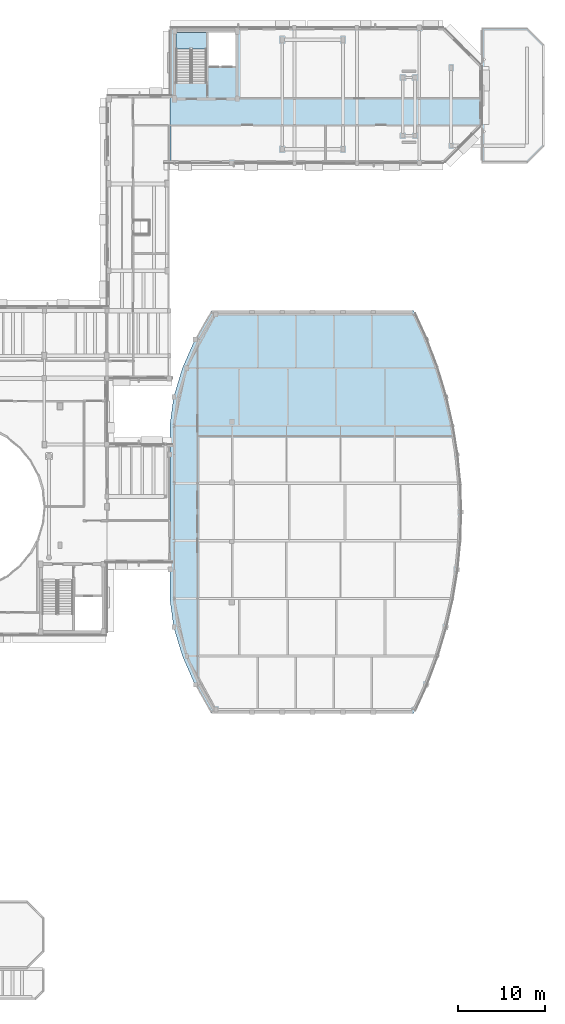
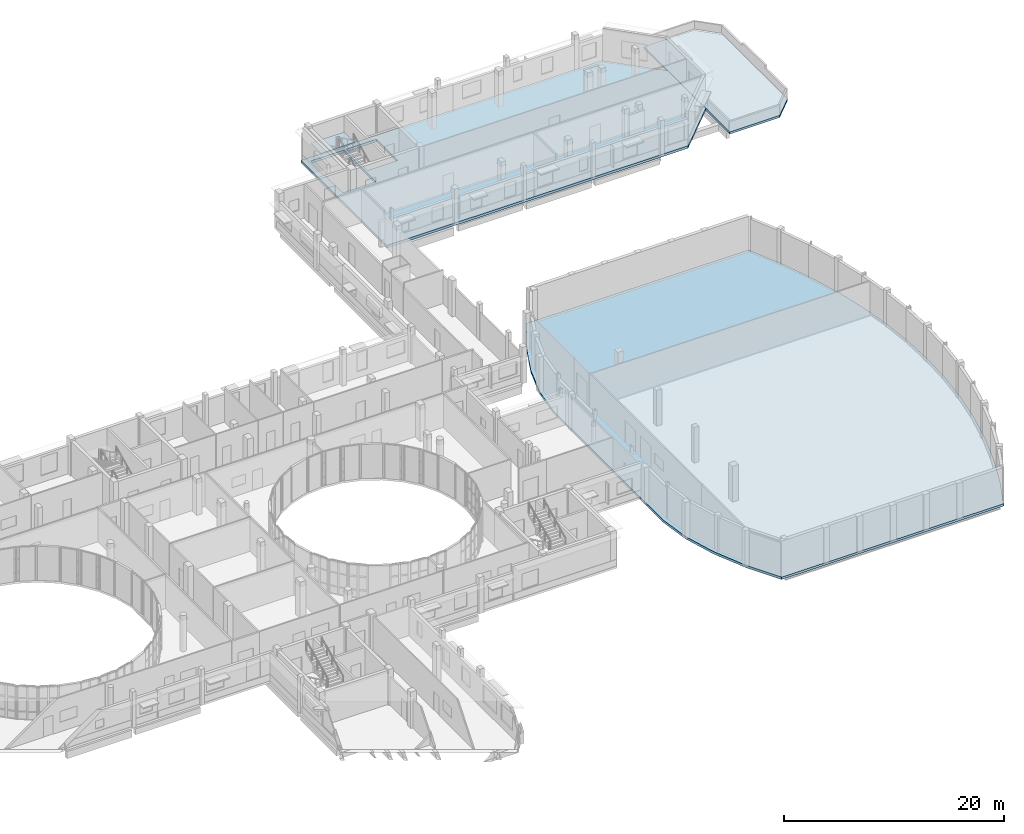
# One storey, part 73 of 105: 4 slabs, 1 element without a shape of its own.
"""IFC4 building model written with IfcOpenShell, lengths in metres."""

import ifcopenshell
import ifcopenshell.guid

model = None  # the IFC model being written
_history = None  # IfcOwnerHistory: only IFC2X3 demands one
_inside = {}  # id of a spatial element -> (the spatial element, [elements in it])
_under = {}  # id of a project, library or spatial element -> (it, [spatial elements below it])
_declared = {}  # id of a project -> (the project, [libraries it declares])
_typed = {}  # id of a type object -> (the type object, [elements of that type])
_made_of = {}  # id of a material, layer set ... -> (it, [elements and type objects made of it])


def new_model(schema):
    """Start an empty IFC model of exactly this schema.

    Asked for "IFC4X3", IfcOpenShell would pick the latest addendum, in which some entities
    have other attributes; the version numbers below select the first issue.
    IFC2X3 requires an IfcOwnerHistory on every rooted entity: one is made here for all.
    """
    global model, _history
    if schema == "IFC4X3":
        model = ifcopenshell.file(schema_version=(4, 3, 0, 0))
    else:
        model = ifcopenshell.file(schema=schema)
    _inside.clear()
    _under.clear()
    _declared.clear()
    _typed.clear()
    _made_of.clear()
    _history = None
    if model.schema == "IFC2X3":
        org = make("IfcOrganization", Name="unknown")
        user = make(
            "IfcPersonAndOrganization",
            ThePerson=make("IfcPerson", FamilyName="unknown"),
            TheOrganization=org,
        )
        app = make(
            "IfcApplication",
            ApplicationDeveloper=org,
            Version="unknown",
            ApplicationFullName="unknown",
            ApplicationIdentifier="unknown",
        )
        _history = make(
            "IfcOwnerHistory",
            OwningUser=user,
            OwningApplication=app,
            ChangeAction="ADDED",
            CreationDate=0,
        )
    return model


def make(cls, **values):
    """One entity of the class cls with the attributes given. An attribute that is None is left unset."""
    return model.create_entity(
        cls, **{name: value for name, value in values.items() if value is not None}
    )


def rooted(cls, **values):
    """An entity with a GlobalId (a new one), such as an element, a storey or a relation."""
    return make(cls, GlobalId=ifcopenshell.guid.new(), OwnerHistory=_history, **values)


def si_unit(unit_type, name, prefix=None):
    """IfcSIUnit, for example si_unit("LENGTHUNIT", "METRE", prefix="MILLI")."""
    return make("IfcSIUnit", UnitType=unit_type, Prefix=prefix, Name=name)


def assignment(units):
    """IfcUnitAssignment: the units of a project."""
    return None if units is None else make("IfcUnitAssignment", Units=units)


def point(xyz):
    """IfcCartesianPoint."""
    return None if xyz is None else make("IfcCartesianPoint", Coordinates=xyz)


def direction(xyz):
    """IfcDirection."""
    return None if xyz is None else make("IfcDirection", DirectionRatios=xyz)


def frame(location, z_axis=None, x_axis=None):
    """IfcAxis2Placement3D, a coordinate frame: its origin and axes. An axis left out is left unset."""
    return make(
        "IfcAxis2Placement3D",
        Location=point(location),
        Axis=direction(z_axis),
        RefDirection=direction(x_axis),
    )


def origin():
    """The frame at (0, 0, 0) with its axes left unset."""
    return frame((0.0, 0.0, 0.0))


def place(relative_to, where):
    """IfcLocalPlacement: puts the frame where relative to a parent placement (None: the world)."""
    return make(
        "IfcLocalPlacement", PlacementRelTo=relative_to, RelativePlacement=where
    )


def context(
    kind, dimensions, precision=None, world=None, true_north=None, identifier=None
):
    """IfcGeometricRepresentationContext, for example the 3D "Model" context."""
    return make(
        "IfcGeometricRepresentationContext",
        ContextIdentifier=identifier,
        ContextType=kind,
        CoordinateSpaceDimension=dimensions,
        Precision=precision,
        WorldCoordinateSystem=world,
        TrueNorth=true_north,
    )


def subcontext(parent, identifier, kind, view, scale=None):
    """IfcGeometricRepresentationSubContext, for example "Body" below "Model"."""
    return make(
        "IfcGeometricRepresentationSubContext",
        ContextIdentifier=identifier,
        ContextType=kind,
        ParentContext=parent,
        TargetScale=scale,
        TargetView=view,
    )


def project(units=None, contexts=None):
    """IfcProject with its units and contexts."""
    return rooted(
        "IfcProject",
        Name="project",
        RepresentationContexts=contexts,
        UnitsInContext=assignment(units),
    )


def spatial(cls, under=None, at=None, **own):
    """A site, building, storey or space (cls), placed at a placement, below another one or the project."""
    s = rooted(cls, ObjectPlacement=at, **own)
    if under is not None:
        _under.setdefault(under.id(), (under, []))[1].append(s)
    return s


def polyline(points):
    """IfcPolyline through the points."""
    return make("IfcPolyline", Points=[point(p) for p in points])


def outline(outer, holes=None, kind="AREA"):
    """IfcArbitraryClosedProfileDef: a profile drawn as a closed curve; with holes, ...WithVoids."""
    if holes is None:
        return make("IfcArbitraryClosedProfileDef", ProfileType=kind, OuterCurve=outer)
    return make(
        "IfcArbitraryProfileDefWithVoids",
        ProfileType=kind,
        OuterCurve=outer,
        InnerCurves=holes,
    )


def extrude(swept, where, along, depth):
    """IfcExtrudedAreaSolid: the profile swept, set in the frame where, extruded along a direction by depth."""
    return make(
        "IfcExtrudedAreaSolid",
        SweptArea=swept,
        Position=where,
        ExtrudedDirection=direction(along),
        Depth=depth,
    )


def shape(context_of_items, identifier, shape_type, items):
    """IfcShapeRepresentation: the items that make up one representation, for example the "Body"."""
    return make(
        "IfcShapeRepresentation",
        ContextOfItems=context_of_items,
        RepresentationIdentifier=identifier,
        RepresentationType=shape_type,
        Items=items,
    )


def material(Name=None, Category=None):
    """IfcMaterial."""
    return make("IfcMaterial", Name=Name, Category=Category)


def layer(
    of_material, thickness, ventilated=None, Name=None, Category=None, Priority=None
):
    """IfcMaterialLayer: one layer of a wall or slab, of a material (None: an air gap)."""
    return make(
        "IfcMaterialLayer",
        Material=of_material,
        LayerThickness=thickness,
        IsVentilated=ventilated,
        Name=Name,
        Category=Category,
        Priority=Priority,
    )


def layer_set(layers, Name=None):
    """IfcMaterialLayerSet."""
    return make("IfcMaterialLayerSet", MaterialLayers=layers, LayerSetName=Name)


def made_of(thing, what):
    """Note that an element or type object is made of a material, layer set ...; save() writes the relation."""
    if what is not None:
        _made_of.setdefault(what.id(), (what, []))[1].append(thing)
    return thing


def type_object(cls, material=None, **own):
    """A type object (cls), such as IfcWallType, which elements share."""
    return made_of(rooted(cls, **own), material)


def element(
    cls,
    number,
    at=None,
    inside=None,
    cuts=None,
    type_object=None,
    material=None,
    context=None,
    identifier="Body",
    shape_type=None,
    held_by="IfcProductDefinitionShape",
    body=None,
    shapes=None,
    **own,
):
    """One element of the class cls, such as IfcWall. Its Tag is "e" and its number.

    at: its placement. inside: the storey or other place that contains it. cuts: it is an
    opening in that element (IfcRelVoidsElement). A single representation is given by context,
    identifier, shape_type and body (its items); several are given by shapes. held_by: the class
    of the entity that holds the representations. save() writes the other relations.
    """
    e = rooted(cls, Tag="e%d" % number, ObjectPlacement=at, **own)
    if body is not None:
        shapes = [shape(context, identifier, shape_type, body)]
    if shapes is not None:
        e.Representation = make(held_by, Representations=shapes)
    if inside is not None:
        _inside.setdefault(inside.id(), (inside, []))[1].append(e)
    if cuts is not None:
        rooted(
            "IfcRelVoidsElement", RelatingBuildingElement=cuts, RelatedOpeningElement=e
        )
    if type_object is not None:
        _typed.setdefault(type_object.id(), (type_object, []))[1].append(e)
    return made_of(e, material)


def aggregate(whole, parts):
    """IfcRelAggregates: a whole, such as a stair, and the parts it consists of."""
    return rooted("IfcRelAggregates", RelatingObject=whole, RelatedObjects=parts)


def save(model, path):
    """Write the relations noted so far, then the file.

    IfcRelAggregates (storeys below a building ...), IfcRelContainedInSpatialStructure (elements
    in a storey), IfcRelDefinesByType, IfcRelAssociatesMaterial and IfcRelDeclares: one each for
    every whole, place, type object, material and project.
    """
    for whole, parts in _under.values():
        aggregate(whole, parts)
    for where, things in _inside.values():
        rooted(
            "IfcRelContainedInSpatialStructure",
            RelatedElements=things,
            RelatingStructure=where,
        )
    for kind, things in _typed.values():
        rooted("IfcRelDefinesByType", RelatedObjects=things, RelatingType=kind)
    for what, things in _made_of.values():
        rooted("IfcRelAssociatesMaterial", RelatedObjects=things, RelatingMaterial=what)
    for by, libraries in _declared.values():
        rooted("IfcRelDeclares", RelatingContext=by, RelatedDefinitions=libraries)
    model.write(path)


model = new_model("IFC4")

# Units and contexts
model_context = context("Model", 3, precision=1e-05, world=origin(), true_north=direction((0.0, 1.0)))
body_context = subcontext(model_context, "Body", "Model", "MODEL_VIEW")
ifc_project = project(units=[si_unit("LENGTHUNIT", "METRE"), si_unit("AREAUNIT", "SQUARE_METRE"), si_unit("VOLUMEUNIT", "CUBIC_METRE"), si_unit("PLANEANGLEUNIT", "RADIAN"), si_unit("MASSUNIT", "GRAM", prefix="KILO")], contexts=[model_context])

# Site, building, storey
site_placement = place(None, origin())
site = spatial("IfcSite", under=ifc_project, at=site_placement, CompositionType="ELEMENT")
building_placement = place(site_placement, origin())
building = spatial("IfcBuilding", under=site, at=building_placement, Name="Kelanivale Promenade Academy", CompositionType="ELEMENT")
storey_placement = place(building_placement, frame((0.0, 0.0, 4.199951171875)))
storey = spatial("IfcBuildingStorey", under=building, at=storey_placement, Name="L01", CompositionType="ELEMENT", Elevation=4.199951171875)

# Slabs
ifc_material = material(Name="Concrete C35/45", Category="concrete")
ifc_layer_1 = layer(ifc_material, 0.264892578125)
ifc_layer_set_1 = layer_set([ifc_layer_1], Name="Concrete C35/45")
slab_type_1 = type_object("IfcSlabType", Name="FS-02 Slab 265mm", PredefinedType="FLOOR", material=ifc_layer_set_1)
slab_1_placement = place(storey_placement, frame((0.0, 0.0, -0.264892578125)))
element("IfcSlab", 1, at=slab_1_placement, inside=storey, type_object=slab_type_1, Name="L01 structural slab SLB-L01-V2", PredefinedType="FLOOR", context=body_context, shape_type="SweptSolid", body=[
    extrude(outline(polyline([(155.44091796875, 46.257080078125), (155.97607421875, 49.571044921875), (156.2939453125, 52.885986328125), (156.39990234375, 56.199951171875), (156.2939453125, 59.513916015625), (155.97607421875, 62.8291015625), (155.44091796875, 66.14306640625), (154.681884765625, 69.45703125), (153.68896484375, 72.77099609375), (152.447021484375, 76.0859375), (150.93798828125, 79.39990234375), (127.64990234375, 79.39990234375), (125.75, 76.0859375), (124.300048828125, 72.77099609375), (123.300048828125, 69.45703125), (122.85009765625, 66.14306640625), (122.85009765625, 46.257080078125), (123.300048828125, 42.943115234375), (124.300048828125, 39.62890625), (125.75, 36.31396484375), (127.64990234375, 33.0), (150.93798828125, 33.0), (152.447021484375, 36.31396484375), (153.68896484375, 39.62890625), (154.681884765625, 42.943115234375), (155.44091796875, 46.257080078125)])), origin(), (0.0, 0.0, 1.0), 0.264892578125),
])
ifc_layer_2 = layer(ifc_material, 0.280029296875)
ifc_layer_set_2 = layer_set([ifc_layer_2], Name="Concrete C35/45")
slab_type_2 = type_object("IfcSlabType", Name="FS-03 Slab 280mm", PredefinedType="FLOOR", material=ifc_layer_set_2)
slab_2_placement = place(storey_placement, frame((0.0, 0.0, -0.280029296875)))
element("IfcSlab", 2, at=slab_2_placement, inside=storey, type_object=slab_type_2, Name="L01 structural slab SLB-L01-V5M", PredefinedType="FLOOR", context=body_context, shape_type="SweptSolid", body=[
    extrude(outline(polyline([(154.43310546875, 96.39990234375), (158.800048828125, 100.76708984375), (158.800048828125, 107.633056640625), (154.43310546875, 112.0), (122.85009765625, 112.0), (122.85009765625, 96.39990234375), (154.43310546875, 96.39990234375)]), holes=[polyline([(130.43505859375, 107.574951171875), (127.284912109375, 107.574951171875), (127.284912109375, 111.43505859375), (130.43505859375, 111.43505859375), (130.43505859375, 107.574951171875)]), polyline([(123.56494140625, 105.655029296875), (123.56494140625, 111.43505859375), (127.06494140625, 111.43505859375), (127.06494140625, 105.655029296875), (123.56494140625, 105.655029296875)])]), origin(), (0.0, 0.0, 1.0), 0.280029296875),
])

# Stair, slab
stair_type = type_object("IfcStairType", Name="ST-T02 Protected dog-leg upper-storey stair", PredefinedType="HALF_TURN_STAIR", material=ifc_material)
stair_placement = place(storey_placement, origin())
stair = element("IfcStair", 3, at=stair_placement, inside=storey, type_object=stair_type, Name="L01 ST-05", PredefinedType="HALF_TURN_STAIR")
ifc_layer_3 = layer(ifc_material, 0.199951171875)
ifc_layer_set_3 = layer_set([ifc_layer_3], Name="Concrete C35/45")
slab_type_3 = type_object("IfcSlabType", Name="LS-01 Slab 200mm", PredefinedType="LANDING", material=ifc_layer_set_3)
slab_3_placement = place(storey_placement, frame((0.0, 0.0, 1.800048828125)))
slab_3 = element("IfcSlab", 4, at=slab_3_placement, type_object=slab_type_3, Name="ST-05 landing 1", PredefinedType="LANDING", context=body_context, shape_type="SweptSolid", body=[
    extrude(outline(polyline([(127.06494140625, 109.554931640625), (127.06494140625, 111.43505859375), (123.56494140625, 111.43505859375), (123.56494140625, 109.554931640625), (127.06494140625, 109.554931640625)])), origin(), (0.0, 0.0, 1.0), 0.199951171875),
])
aggregate(stair, [slab_3])

# Slab
ifc_layer_4 = layer(ifc_material, 0.239990234375)
ifc_layer_set_4 = layer_set([ifc_layer_4], Name="Concrete C35/45")
slab_type_4 = type_object("IfcSlabType", Name="RS-01 Slab 240mm", PredefinedType="ROOF", material=ifc_layer_set_4)
slab_4_placement = place(storey_placement, frame((0.0, 0.0, -0.239990234375)))
element("IfcSlab", 5, at=slab_4_placement, inside=storey, type_object=slab_type_4, Name="L01 planted roof slab RF-L01-SCIE", PredefinedType="ROOF", context=body_context, shape_type="SweptSolid", body=[
    extrude(outline(polyline([(164.0458984375, 96.39990234375), (166.0, 98.35400390625), (166.0, 110.0458984375), (164.0458984375, 112.0), (158.800048828125, 112.0), (158.800048828125, 96.39990234375), (164.0458984375, 96.39990234375)])), origin(), (0.0, 0.0, 1.0), 0.239990234375),
])

save(model, "model.ifc")
